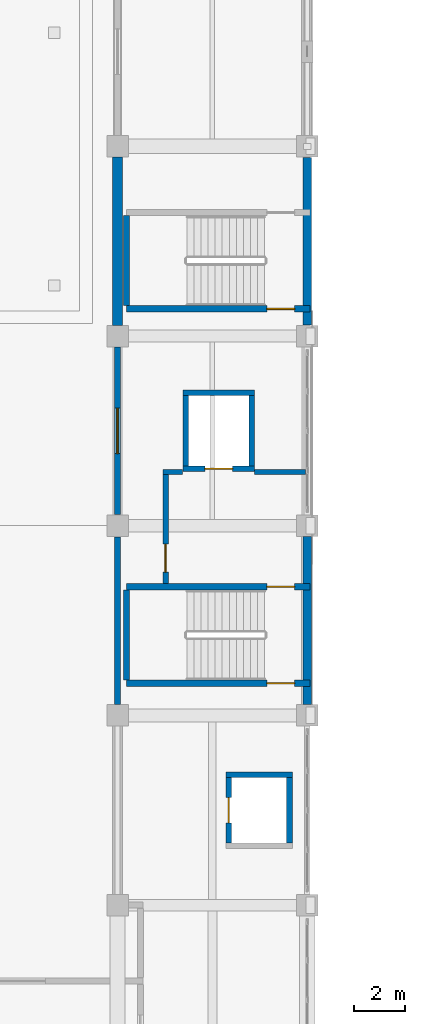
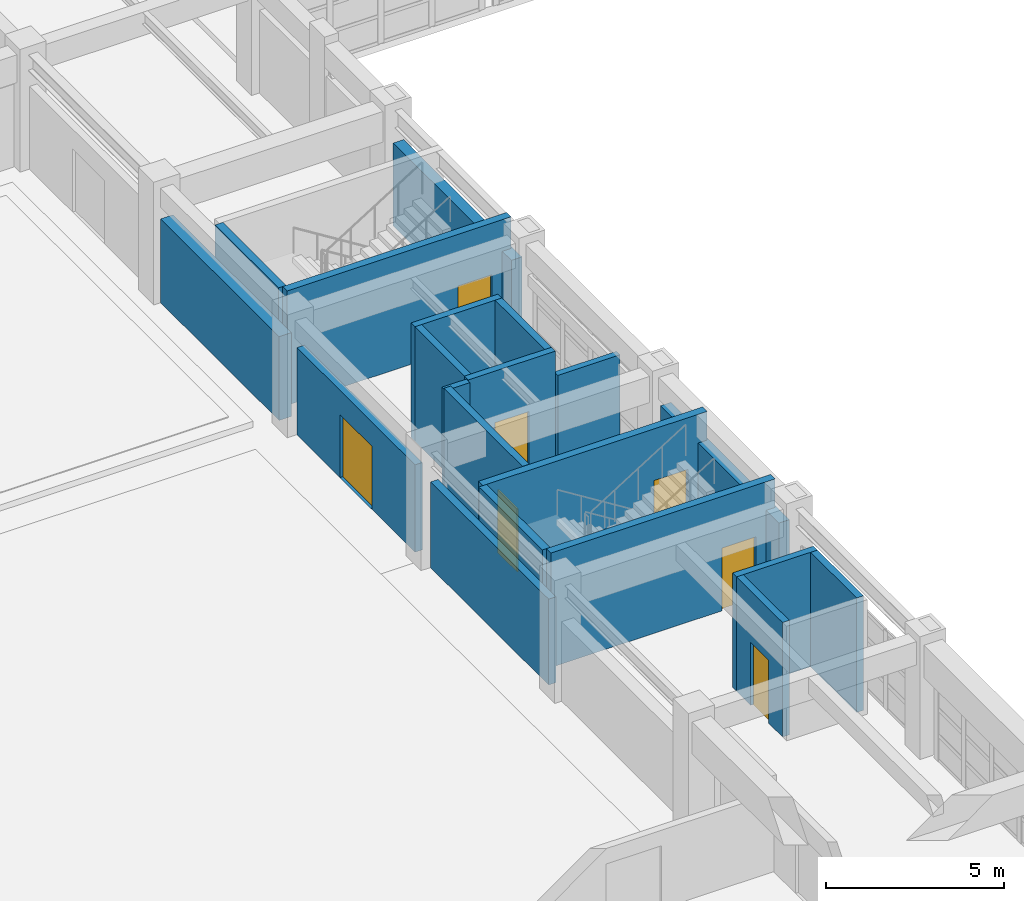
# One storey, part 102 of 132: 20 walls, 7 doors, 7 openings.
"""IFC4 building model written with IfcOpenShell, lengths in metres."""

from ifc_helpers import new_model, si_unit, direction, frame, frame_2d, origin, place, context, subcontext, project, spatial, rectangle, extrude, material, layer, layer_set, type_object, element, fill, save


model = new_model("IFC4")

# Units and contexts
model_context = context("Model", 3, precision=1e-05, world=origin(), true_north=direction((0.0, 1.0)))
body_context = subcontext(model_context, "Body", "Model", "MODEL_VIEW")
ifc_project = project(units=[si_unit("LENGTHUNIT", "METRE"), si_unit("AREAUNIT", "SQUARE_METRE"), si_unit("VOLUMEUNIT", "CUBIC_METRE"), si_unit("PLANEANGLEUNIT", "RADIAN"), si_unit("MASSUNIT", "GRAM", prefix="KILO")], contexts=[model_context])

# Site, building, storey
site_placement = place(None, origin())
site = spatial("IfcSite", under=ifc_project, at=site_placement, CompositionType="ELEMENT")
building_placement = place(site_placement, origin())
building = spatial("IfcBuilding", under=site, at=building_placement, Name="Qasida Concert Hall", CompositionType="ELEMENT")
storey_placement = place(building_placement, frame((0.0, 0.0, 4.800048828125)))
storey = spatial("IfcBuildingStorey", under=building, at=storey_placement, Name="L01", CompositionType="ELEMENT", Elevation=4.800048828125)

# Wall
ifc_material_1 = material(Name="Concrete C40/50", Category="concrete")
ifc_layer_1 = layer(ifc_material_1, 0.219970703125, Name="Concrete C40/50")
ifc_layer_set_1 = layer_set([ifc_layer_1], Name="Concrete C40/50")
wall_type_1 = type_object("IfcWallType", Name="WL-CW-220", PredefinedType="SOLIDWALL", material=ifc_layer_set_1)
wall_1_placement = place(storey_placement, frame((101.7900390625, 42.64990234375, 0.0), z_axis=(0.0, 0.0, 1.0), x_axis=(1.0, 0.0, 0.0)))
element("IfcWall", 1, at=wall_1_placement, inside=storey, type_object=wall_type_1, Name="L01 LF-02 lift shaft wall N", PredefinedType="SOLIDWALL", context=body_context, shape_type="SweptSolid", body=[
    extrude(rectangle(XDim=2.619873046875, YDim=0.219970703125, at=frame_2d((1.31005859375, 0.0))), origin(), (0.0, 0.0, 1.0), 3.919921875),
])

# Wall, opening, door
wall_2_placement = place(storey_placement, frame((101.89990234375, 39.9599609375, 0.0), z_axis=(0.0, 0.0, 1.0), x_axis=(0.0, 1.0, 0.0)))
wall_2 = element("IfcWall", 2, at=wall_2_placement, inside=storey, type_object=wall_type_1, Name="L01 LF-02 lift shaft wall W", PredefinedType="SOLIDWALL", context=body_context, shape_type="SweptSolid", body=[
    extrude(rectangle(XDim=2.580078125, YDim=0.219970703125, at=frame_2d((1.2900390625, 0.0))), origin(), (0.0, 0.0, 1.0), 3.919921875),
])
opening_1_placement = place(wall_2_placement, frame((0.7900390625, 0.0, 0.0)))
opening_1 = element("IfcOpeningElement", 3, at=opening_1_placement, cuts=wall_2, Name="Opening LD-100", PredefinedType="OPENING", context=body_context, shape_type="SweptSolid", body=[
    extrude(rectangle(XDim=1.0, YDim=2.14990234375, at=frame_2d((0.5, 1.074951171875))), frame((0.0, 0.119873046875, 0.0), z_axis=(0.0, -1.0, 0.0), x_axis=(1.0, 0.0, 0.0)), (0.0, 0.0, 1.0), 0.239990234375),
])
ifc_material_2 = material(Name="Brushed bronze passenger lift landing door", Category="steel")
door_type_1 = type_object("IfcDoorType", Name="LD-100", OperationType="SLIDING_TO_LEFT", PredefinedType="DOOR", material=ifc_material_2)
door_1_placement = place(opening_1_placement, origin())
door_1 = element("IfcDoor", 4, at=door_1_placement, inside=storey, type_object=door_type_1, Name="Lift landing door LF-02 L01", OperationType="SLIDING_TO_LEFT", OverallHeight=2.14990234375, OverallWidth=1.0, PredefinedType="DOOR", context=body_context, shape_type="SweptSolid", body=[
    extrude(rectangle(XDim=1.0, YDim=2.14990234375, at=frame_2d((0.5, 1.074951171875))), frame((0.0, 0.02490234375, 0.0), z_axis=(0.0, -1.0, 0.0), x_axis=(1.0, 0.0, 0.0)), (0.0, 0.0, 1.0), 0.050048828125),
])
fill(opening_1, door_1)

# Wall
wall_3_placement = place(storey_placement, frame((104.300048828125, 39.9599609375, 0.0), z_axis=(0.0, 0.0, 1.0), x_axis=(0.0, 1.0, 0.0)))
element("IfcWall", 5, at=wall_3_placement, inside=storey, type_object=wall_type_1, Name="L01 LF-02 lift shaft wall E", PredefinedType="SOLIDWALL", context=body_context, shape_type="SweptSolid", body=[
    extrude(rectangle(XDim=2.580078125, YDim=0.219970703125, at=frame_2d((1.2900390625, 0.0))), origin(), (0.0, 0.0, 1.0), 3.919921875),
])

# Wall, opening, door
wall_4_placement = place(storey_placement, frame((100.090087890625, 54.75, 0.0), z_axis=(0.0, 0.0, 1.0), x_axis=(1.0, 0.0, 0.0)))
wall_4 = element("IfcWall", 6, at=wall_4_placement, inside=storey, type_object=wall_type_1, Name="L01 LF-04 lift shaft wall S", PredefinedType="SOLIDWALL", context=body_context, shape_type="SweptSolid", body=[
    extrude(rectangle(XDim=2.81982421875, YDim=0.219970703125, at=frame_2d((1.409912109375, 0.0))), origin(), (0.0, 0.0, 1.0), 3.919921875),
])
opening_2_placement = place(wall_4_placement, frame((0.860107421875, 0.0, 0.0)))
opening_2 = element("IfcOpeningElement", 7, at=opening_2_placement, cuts=wall_4, Name="Opening LD-110", PredefinedType="OPENING", context=body_context, shape_type="SweptSolid", body=[
    extrude(rectangle(XDim=1.10009765625, YDim=2.14990234375, at=frame_2d((0.550048828125, 1.074951171875))), frame((0.0, 0.119873046875, 0.0), z_axis=(0.0, -1.0, 0.0), x_axis=(1.0, 0.0, 0.0)), (0.0, 0.0, 1.0), 0.239990234375),
])
ifc_material_3 = material(Name="Firefighting lift sliding landing door", Category="steel")
door_type_2 = type_object("IfcDoorType", Name="LD-110", OperationType="SLIDING_TO_LEFT", PredefinedType="DOOR", material=ifc_material_3)
door_2_placement = place(opening_2_placement, origin())
door_2 = element("IfcDoor", 8, at=door_2_placement, inside=storey, type_object=door_type_2, Name="Lift landing door LF-04 L01", OperationType="SLIDING_TO_LEFT", OverallHeight=2.14990234375, OverallWidth=1.10009765625, PredefinedType="DOOR", context=body_context, shape_type="SweptSolid", body=[
    extrude(rectangle(XDim=1.10009765625, YDim=2.14990234375, at=frame_2d((0.550048828125, 1.074951171875))), frame((0.0, 0.02490234375, 0.0), z_axis=(0.0, -1.0, 0.0), x_axis=(1.0, 0.0, 0.0)), (0.0, 0.0, 1.0), 0.050048828125),
])
fill(opening_2, door_2)

# Walls
wall_5_placement = place(storey_placement, frame((100.090087890625, 57.75, 0.0), z_axis=(0.0, 0.0, 1.0), x_axis=(1.0, 0.0, 0.0)))
element("IfcWall", 9, at=wall_5_placement, inside=storey, type_object=wall_type_1, Name="L01 LF-04 lift shaft wall N", PredefinedType="SOLIDWALL", context=body_context, shape_type="SweptSolid", body=[
    extrude(rectangle(XDim=2.81982421875, YDim=0.219970703125, at=frame_2d((1.409912109375, 0.0))), origin(), (0.0, 0.0, 1.0), 3.919921875),
])
for number, where, z_axis, x_axis, name in (
    (10, (100.199951171875, 54.860107421875, 0.0), (0.0, 0.0, 1.0), (0.0, 1.0, 0.0), "L01 LF-04 lift shaft wall W"),
    (11, (102.800048828125, 54.860107421875, 0.0), (0.0, 0.0, 1.0), (0.0, 1.0, 0.0), "L01 LF-04 lift shaft wall E"),
):
    element("IfcWall", number, at=place(storey_placement, frame(where, z_axis=z_axis, x_axis=x_axis)), inside=storey, type_object=wall_type_1, Name=name, PredefinedType="SOLIDWALL", context=body_context, shape_type="SweptSolid", body=[
        extrude(rectangle(XDim=2.77978515625, YDim=0.219970703125, at=frame_2d((1.389892578125, 0.0))), origin(), (0.0, 0.0, 1.0), 3.919921875),
    ])

# Wall, opening, door
wall_6_placement = place(storey_placement, frame((99.39990234375, 50.219970703125, 0.0), z_axis=(0.0, 0.0, 1.0), x_axis=(0.0, 1.0, 0.0)))
wall_6 = element("IfcWall", 12, at=wall_6_placement, inside=storey, type_object=wall_type_1, Name="L01 LF-04 firefighting lobby wall", PredefinedType="SOLIDWALL", context=body_context, shape_type="SweptSolid", body=[
    extrude(rectangle(XDim=4.409912109375, YDim=0.219970703125, at=frame_2d((2.205078125, 0.0))), origin(), (0.0, 0.0, 1.0), 3.919921875),
])
opening_3_placement = place(wall_6_placement, frame((0.449951171875, 0.0, 0.0)))
opening_3 = element("IfcOpeningElement", 13, at=opening_3_placement, cuts=wall_6, Name="Opening FD-110", PredefinedType="OPENING", context=body_context, shape_type="SweptSolid", body=[
    extrude(rectangle(XDim=1.10009765625, YDim=2.14990234375, at=frame_2d((0.550048828125, 1.074951171875))), frame((0.0, 0.119873046875, 0.0), z_axis=(0.0, -1.0, 0.0), x_axis=(1.0, 0.0, 0.0)), (0.0, 0.0, 1.0), 0.239990234375),
])
ifc_material_4 = material(Name="Steel fire-rated stair/lobby door set", Category="steel")
door_type_3 = type_object("IfcDoorType", Name="FD-110", OperationType="NOTDEFINED", PredefinedType="DOOR", material=ifc_material_4)
door_3_placement = place(opening_3_placement, origin())
door_3 = element("IfcDoor", 14, at=door_3_placement, inside=storey, type_object=door_type_3, Name="L01 LF-04 firefighting lobby fire door", OperationType="SINGLE_SWING_RIGHT", OverallHeight=2.14990234375, OverallWidth=1.10009765625, PredefinedType="DOOR", context=body_context, shape_type="SweptSolid", body=[
    extrude(rectangle(XDim=1.10009765625, YDim=2.14990234375, at=frame_2d((0.550048828125, 1.074951171875))), frame((0.0, 0.02490234375, 0.0), z_axis=(0.0, -1.0, 0.0), x_axis=(1.0, 0.0, 0.0)), (0.0, 0.0, 1.0), 0.050048828125),
])
fill(opening_3, door_3)

ifc_layer_2 = layer(ifc_material_1, 0.25, Name="Concrete C40/50")
ifc_layer_set_2 = layer_set([ifc_layer_2], Name="Concrete C40/50")
wall_type_2 = type_object("IfcWallType", Name="WL-CW-250", PredefinedType="SOLIDWALL", material=ifc_layer_set_2)
wall_7_placement = place(storey_placement, frame((97.860107421875, 46.27490234375, 0.0), z_axis=(0.0, 0.0, 1.0), x_axis=(1.0, 0.0, 0.0)))
wall_7 = element("IfcWall", 15, at=wall_7_placement, inside=storey, type_object=wall_type_2, Name="L01 ST-02 stairwell wall S", PredefinedType="SOLIDWALL", context=body_context, shape_type="SweptSolid", body=[
    extrude(rectangle(XDim=7.260009765625, YDim=0.25, at=frame_2d((3.6298828125, 0.0))), origin(), (0.0, 0.0, 1.0), 3.919921875),
])
opening_4_placement = place(wall_7_placement, frame((5.5400390625, 0.0, 0.0)))
opening_4 = element("IfcOpeningElement", 16, at=opening_4_placement, cuts=wall_7, Name="Opening FD-110", PredefinedType="OPENING", context=body_context, shape_type="SweptSolid", body=[
    extrude(rectangle(XDim=1.10009765625, YDim=2.14990234375, at=frame_2d((0.550048828125, 1.074951171875))), frame((0.0, 0.135009765625, 0.0), z_axis=(0.0, -1.0, 0.0), x_axis=(1.0, 0.0, 0.0)), (0.0, 0.0, 1.0), 0.27001953125),
])
door_4_placement = place(opening_4_placement, origin())
door_4 = element("IfcDoor", 17, at=door_4_placement, inside=storey, type_object=door_type_3, Name="L01 ST-02 rated stair door", OperationType="SINGLE_SWING_LEFT", OverallHeight=2.14990234375, OverallWidth=1.10009765625, PredefinedType="DOOR", context=body_context, shape_type="SweptSolid", body=[
    extrude(rectangle(XDim=1.10009765625, YDim=2.14990234375, at=frame_2d((0.550048828125, 1.074951171875))), frame((0.0, 0.02490234375, 0.0), z_axis=(0.0, -1.0, 0.0), x_axis=(1.0, 0.0, 0.0)), (0.0, 0.0, 1.0), 0.050048828125),
])
fill(opening_4, door_4)

wall_8_placement = place(storey_placement, frame((97.860107421875, 50.0849609375, 0.0), z_axis=(0.0, 0.0, 1.0), x_axis=(1.0, 0.0, 0.0)))
wall_8 = element("IfcWall", 18, at=wall_8_placement, inside=storey, type_object=wall_type_2, Name="L01 ST-02 stairwell wall N", PredefinedType="SOLIDWALL", context=body_context, shape_type="SweptSolid", body=[
    extrude(rectangle(XDim=7.260009765625, YDim=0.25, at=frame_2d((3.6298828125, 0.0))), origin(), (0.0, 0.0, 1.0), 3.919921875),
])
opening_5_placement = place(wall_8_placement, frame((5.5400390625, 0.0, 0.0)))
opening_5 = element("IfcOpeningElement", 19, at=opening_5_placement, cuts=wall_8, Name="Opening FD-110", PredefinedType="OPENING", context=body_context, shape_type="SweptSolid", body=[
    extrude(rectangle(XDim=1.10009765625, YDim=2.14990234375, at=frame_2d((0.550048828125, 1.074951171875))), frame((0.0, 0.135009765625, 0.0), z_axis=(0.0, -1.0, 0.0), x_axis=(1.0, 0.0, 0.0)), (0.0, 0.0, 1.0), 0.27001953125),
])
door_5_placement = place(opening_5_placement, frame((1.10009765625, 0.0, 0.0), z_axis=(0.0, 0.0, 1.0), x_axis=(-1.0, 0.0, 0.0)))
door_5 = element("IfcDoor", 20, at=door_5_placement, inside=storey, type_object=door_type_3, Name="L01 ST-02 rated stair door", OperationType="SINGLE_SWING_RIGHT", OverallHeight=2.14990234375, OverallWidth=1.10009765625, PredefinedType="DOOR", context=body_context, shape_type="SweptSolid", body=[
    extrude(rectangle(XDim=1.10009765625, YDim=2.14990234375, at=frame_2d((0.550048828125, 1.074951171875))), frame((0.0, 0.02490234375, 0.0), z_axis=(0.0, -1.0, 0.0), x_axis=(1.0, 0.0, 0.0)), (0.0, 0.0, 1.0), 0.050048828125),
])
fill(opening_5, door_5)

# Wall
wall_9_placement = place(storey_placement, frame((97.85498046875, 46.39990234375, 0.0), z_axis=(0.0, 0.0, 1.0), x_axis=(0.0, 1.0, 0.0)))
element("IfcWall", 21, at=wall_9_placement, inside=storey, type_object=wall_type_2, Name="L01 ST-02 stairwell wall W", PredefinedType="SOLIDWALL", context=body_context, shape_type="SweptSolid", body=[
    extrude(rectangle(XDim=3.56005859375, YDim=0.25, at=frame_2d((1.780029296875, 0.0))), origin(), (0.0, 0.0, 1.0), 3.919921875),
])

# Wall, opening, door
wall_10_placement = place(storey_placement, frame((97.860107421875, 61.074951171875, 0.0), z_axis=(0.0, 0.0, 1.0), x_axis=(1.0, 0.0, 0.0)))
wall_10 = element("IfcWall", 22, at=wall_10_placement, inside=storey, type_object=wall_type_2, Name="L01 ST-12 stairwell wall S", PredefinedType="SOLIDWALL", context=body_context, shape_type="SweptSolid", body=[
    extrude(rectangle(XDim=7.260009765625, YDim=0.25, at=frame_2d((3.6298828125, 0.0))), origin(), (0.0, 0.0, 1.0), 3.919921875),
])
opening_6_placement = place(wall_10_placement, frame((5.5400390625, 0.0, 0.0)))
opening_6 = element("IfcOpeningElement", 23, at=opening_6_placement, cuts=wall_10, Name="Opening FD-110", PredefinedType="OPENING", context=body_context, shape_type="SweptSolid", body=[
    extrude(rectangle(XDim=1.10009765625, YDim=2.14990234375, at=frame_2d((0.550048828125, 1.074951171875))), frame((0.0, 0.135009765625, 0.0), z_axis=(0.0, -1.0, 0.0), x_axis=(1.0, 0.0, 0.0)), (0.0, 0.0, 1.0), 0.27001953125),
])
door_6_placement = place(opening_6_placement, origin())
door_6 = element("IfcDoor", 24, at=door_6_placement, inside=storey, type_object=door_type_3, Name="L01 ST-12 rated stair door", OperationType="SINGLE_SWING_LEFT", OverallHeight=2.14990234375, OverallWidth=1.10009765625, PredefinedType="DOOR", context=body_context, shape_type="SweptSolid", body=[
    extrude(rectangle(XDim=1.10009765625, YDim=2.14990234375, at=frame_2d((0.550048828125, 1.074951171875))), frame((0.0, 0.02490234375, 0.0), z_axis=(0.0, -1.0, 0.0), x_axis=(1.0, 0.0, 0.0)), (0.0, 0.0, 1.0), 0.050048828125),
])
fill(opening_6, door_6)

# Walls
wall_11_placement = place(storey_placement, frame((97.85498046875, 61.199951171875, 0.0), z_axis=(0.0, 0.0, 1.0), x_axis=(0.0, 1.0, 0.0)))
element("IfcWall", 25, at=wall_11_placement, inside=storey, type_object=wall_type_2, Name="L01 ST-12 stairwell wall W", PredefinedType="SOLIDWALL", context=body_context, shape_type="SweptSolid", body=[
    extrude(rectangle(XDim=3.56005859375, YDim=0.25, at=frame_2d((1.780029296875, 0.0))), origin(), (0.0, 0.0, 1.0), 3.919921875),
])
ifc_material_5 = material(Name="Precast concrete C40/50", Category="concrete")
ifc_layer_3 = layer(ifc_material_5, 0.340087890625, Name="Precast concrete C40/50")
ifc_layer_set_3 = layer_set([ifc_layer_3], Name="Precast concrete C40/50")
wall_type_3 = type_object("IfcWallType", Name="WL-EW-340", PredefinedType="SOLIDWALL", material=ifc_layer_set_3)
wall_12_placement = place(storey_placement, frame((105.0, 45.43505859375, 0.0), z_axis=(0.0, 0.0, 1.0), x_axis=(0.0, 1.0, 0.0)))
element("IfcWall", 26, at=wall_12_placement, inside=storey, type_object=wall_type_3, Name="L01 exterior wall EW-340 0034", PredefinedType="SOLIDWALL", context=body_context, shape_type="SweptSolid", body=[
    extrude(rectangle(XDim=6.6298828125, YDim=0.340087890625, at=frame_2d((3.31494140625, 0.0))), origin(), (0.0, 0.0, 1.0), 2.93994140625),
])
wall_13_placement = place(storey_placement, frame((105.0, 60.43505859375, 0.0), z_axis=(0.0, 0.0, 1.0), x_axis=(0.0, 1.0, 0.0)))
element("IfcWall", 27, at=wall_13_placement, inside=storey, type_object=wall_type_3, Name="L01 exterior wall EW-340 0036", PredefinedType="SOLIDWALL", context=body_context, shape_type="SweptSolid", body=[
    extrude(rectangle(XDim=6.6298828125, YDim=0.340087890625, at=frame_2d((3.31494140625, 0.0))), origin(), (0.0, 0.0, 1.0), 2.83984375),
])
ifc_material_6 = material(Name="Acoustic gypsum block and mineral wool", Category="gypsum")
ifc_layer_4 = layer(ifc_material_6, 0.199951171875, Name="Acoustic gypsum block and mineral wool")
ifc_layer_set_4 = layer_set([ifc_layer_4], Name="Acoustic gypsum block and mineral wool")
wall_type_4 = type_object("IfcWallType", Name="WL-PW-200", PredefinedType="PARTITIONING", material=ifc_layer_set_4)
wall_14_placement = place(storey_placement, frame((99.2900390625, 54.6298828125, 0.0), z_axis=(0.0, 0.0, 1.0), x_axis=(1.0, 0.0, 0.0)))
element("IfcWall", 28, at=wall_14_placement, inside=storey, type_object=wall_type_4, Name="L01 LF-04 firefighting lobby return wall", PredefinedType="PARTITIONING", context=body_context, shape_type="SweptSolid", body=[
    extrude(rectangle(XDim=0.784912109375, YDim=0.199951171875, at=frame_2d((0.392578125, 0.0))), origin(), (0.0, 0.0, 1.0), 3.89990234375),
])
wall_15_placement = place(storey_placement, frame((102.925048828125, 54.6298828125, 0.0), z_axis=(0.0, 0.0, 1.0), x_axis=(1.0, 0.0, 0.0)))
element("IfcWall", 29, at=wall_15_placement, inside=storey, type_object=wall_type_4, Name="L01 LF-04 firefighting lobby return wall", PredefinedType="PARTITIONING", context=body_context, shape_type="SweptSolid", body=[
    extrude(rectangle(XDim=2.014892578125, YDim=0.199951171875, at=frame_2d((1.00732421875, 0.0))), origin(), (0.0, 0.0, 1.0), 3.14990234375),
])
ifc_material_7 = material(Name="Double-stud acoustic gypsum and mineral wool", Category="gypsum")
ifc_layer_5 = layer(ifc_material_7, 0.239990234375, Name="Double-stud acoustic gypsum and mineral wool")
ifc_layer_set_5 = layer_set([ifc_layer_5], Name="Double-stud acoustic gypsum and mineral wool")
wall_type_5 = type_object("IfcWallType", Name="WL-PW-240", PredefinedType="PARTITIONING", material=ifc_layer_set_5)
wall_16_placement = place(storey_placement, frame((97.5, 45.43896484375, 0.0), z_axis=(0.0, 0.0, 1.0), x_axis=(0.0, 1.0, 0.0)))
element("IfcWall", 30, at=wall_16_placement, inside=storey, type_object=wall_type_5, Name="L01 partition PW-240 0455", PredefinedType="PARTITIONING", context=body_context, shape_type="SweptSolid", body=[
    extrude(rectangle(XDim=6.6220703125, YDim=0.239990234375, at=frame_2d((3.31103515625, 0.0))), origin(), (0.0, 0.0, 1.0), 2.93994140625),
])

# Wall, opening, door
wall_17_placement = place(storey_placement, frame((97.5, 52.93896484375, 0.0), z_axis=(0.0, 0.0, 1.0), x_axis=(0.0, 1.0, 0.0)))
wall_17 = element("IfcWall", 31, at=wall_17_placement, inside=storey, type_object=wall_type_5, Name="L01 partition PW-240 0456", PredefinedType="PARTITIONING", context=body_context, shape_type="SweptSolid", body=[
    extrude(rectangle(XDim=6.6220703125, YDim=0.239990234375, at=frame_2d((3.31103515625, 0.0))), origin(), (0.0, 0.0, 1.0), 2.989990234375),
])
opening_7_placement = place(wall_17_placement, frame((2.410888671875, 0.0, 0.0)))
opening_7 = element("IfcOpeningElement", 32, at=opening_7_placement, cuts=wall_17, Name="Opening AD-180", PredefinedType="OPENING", context=body_context, shape_type="SweptSolid", body=[
    extrude(rectangle(XDim=1.800048828125, YDim=2.159912109375, at=frame_2d((0.89990234375, 1.080078125))), frame((0.0, 0.1298828125, 0.0), z_axis=(0.0, -1.0, 0.0), x_axis=(1.0, 0.0, 0.0)), (0.0, 0.0, 1.0), 0.260009765625),
])
ifc_material_8 = material(Name="Double-seal Rw 52 dB auditorium vomitory door", Category="wood")
door_type_4 = type_object("IfcDoorType", Name="AD-180", OperationType="NOTDEFINED", PredefinedType="DOOR", material=ifc_material_8)
door_7_placement = place(opening_7_placement, origin())
door_7 = element("IfcDoor", 33, at=door_7_placement, inside=storey, type_object=door_type_4, Name="L01 Stalls east side door", OperationType="SINGLE_SWING_LEFT", OverallHeight=2.159912109375, OverallWidth=1.800048828125, PredefinedType="DOOR", context=body_context, shape_type="SweptSolid", body=[
    extrude(rectangle(XDim=1.800048828125, YDim=2.159912109375, at=frame_2d((0.89990234375, 1.080078125))), frame((0.0, 0.02490234375, 0.0), z_axis=(0.0, -1.0, 0.0), x_axis=(1.0, 0.0, 0.0)), (0.0, 0.0, 1.0), 0.050048828125),
])
fill(opening_7, door_7)

# Wall
ifc_layer_6 = layer(ifc_material_1, 0.39990234375, Name="Concrete C40/50")
ifc_layer_set_6 = layer_set([ifc_layer_6], Name="Concrete C40/50")
wall_type_6 = type_object("IfcWallType", Name="WL-SW-400", PredefinedType="SHEAR", material=ifc_layer_set_6)
wall_18_placement = place(storey_placement, frame((97.5, 60.425048828125, 0.0), z_axis=(0.0, 0.0, 1.0), x_axis=(0.0, 1.0, 0.0)))
element("IfcWall", 34, at=wall_18_placement, inside=storey, type_object=wall_type_6, Name="L01 acoustic box shear wall 0018", PredefinedType="SHEAR", context=body_context, shape_type="SweptSolid", body=[
    extrude(rectangle(XDim=6.64990234375, YDim=0.39990234375, at=frame_2d((3.324951171875, 0.0))), origin(), (0.0, 0.0, 1.0), 2.869873046875),
])

save(model, "model.ifc")
